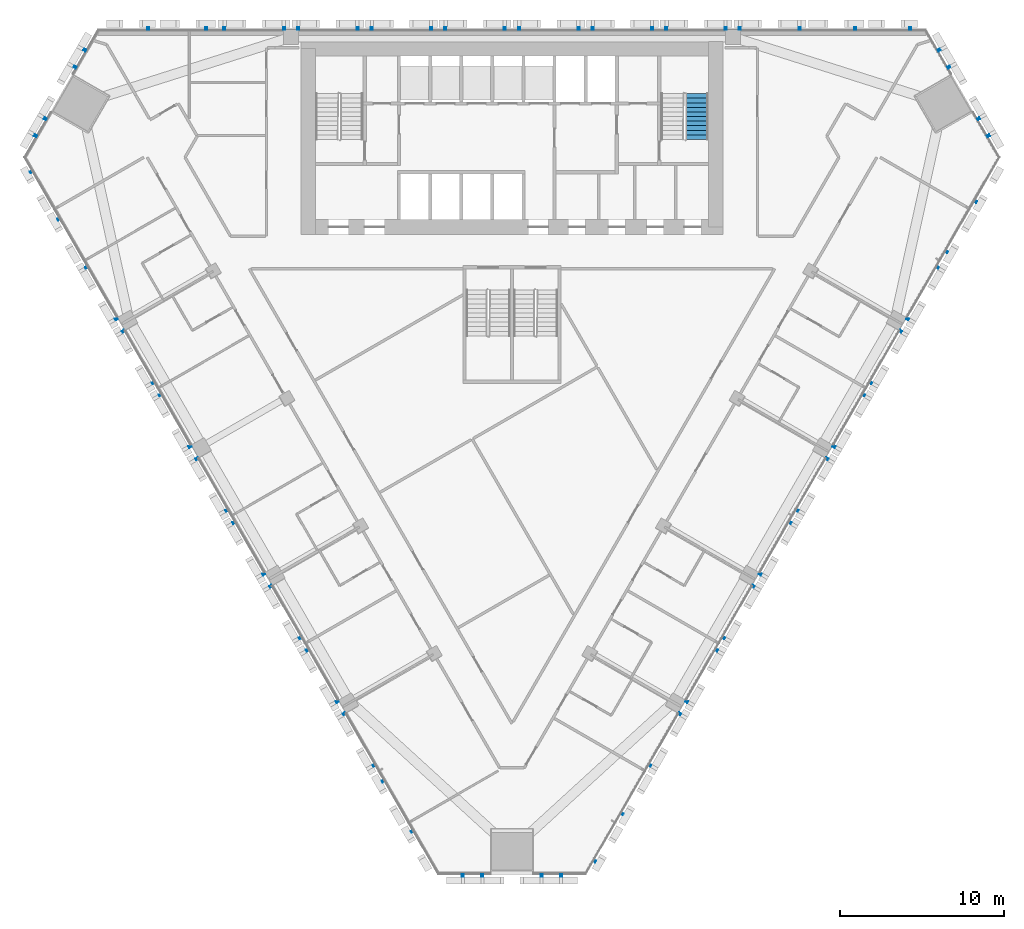
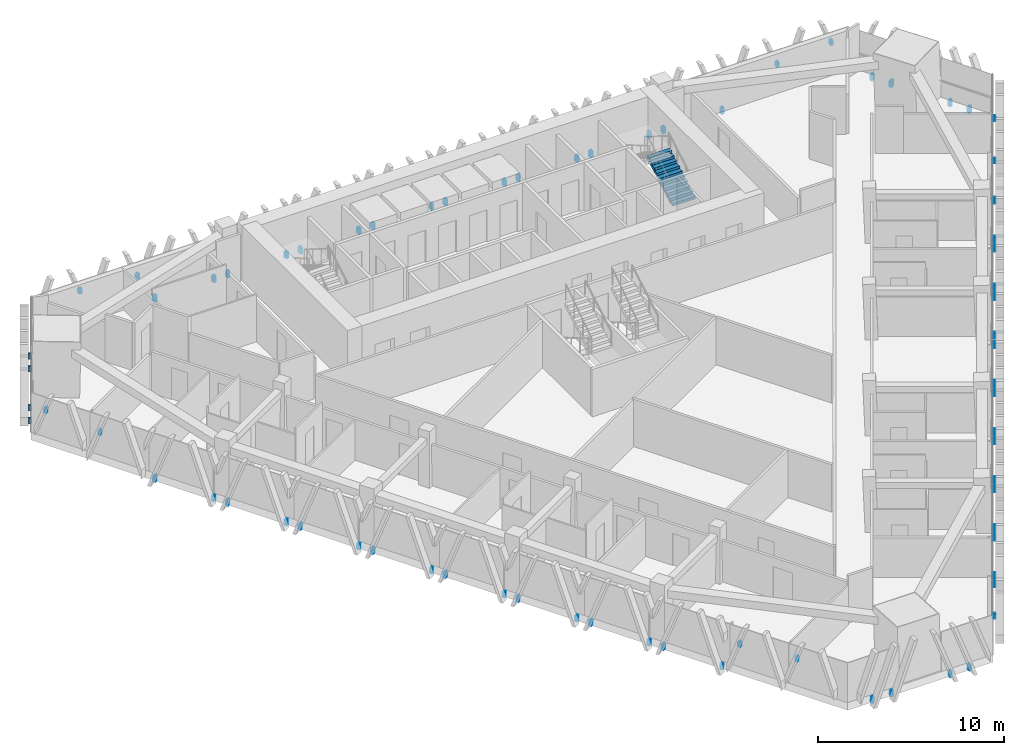
# One storey, part 13 of 16: 6 discrete accessories, 1 stair flight, 1 element without a shape of its own.
"""IFC4 building model written with IfcOpenShell, lengths in metres."""

from ifc_helpers import new_model, si_unit, direction, frame, origin, place, context, subcontext, project, spatial, polyline, outline, extrude, source, transform, mapped, material, type_object, element, aggregate, save


model = new_model("IFC4")

# Units and contexts
model_context = context("Model", 3, precision=1e-05, world=origin(), true_north=direction((0.0, 1.0)))
body_context = subcontext(model_context, "Body", "Model", "MODEL_VIEW")
ifc_project = project(units=[si_unit("LENGTHUNIT", "METRE"), si_unit("AREAUNIT", "SQUARE_METRE"), si_unit("VOLUMEUNIT", "CUBIC_METRE"), si_unit("PLANEANGLEUNIT", "RADIAN"), si_unit("MASSUNIT", "GRAM", prefix="KILO")], contexts=[model_context])

# Site, building, storey
site_placement = place(None, origin())
site = spatial("IfcSite", under=ifc_project, at=site_placement, CompositionType="ELEMENT")
building_placement = place(site_placement, origin())
building = spatial("IfcBuilding", under=site, at=building_placement, Name="Altiplano Prism Tower", CompositionType="ELEMENT")
storey_placement = place(building_placement, frame((0.0, 0.0, 73.800048828125)))
storey = spatial("IfcBuildingStorey", under=building, at=storey_placement, Name="L18", CompositionType="ELEMENT", Elevation=73.800048828125)

# Stair, stair flight
ifc_material_1 = material(Name="Concrete C40/50", Category="concrete")
stair_type = type_object("IfcStairType", Name="Exit stair 1400", PredefinedType="HALF_TURN_STAIR", material=ifc_material_1)
stair_placement = place(storey_placement, origin())
stair = element("IfcStair", 1, at=stair_placement, inside=storey, type_object=stair_type, Name="L18 Exit Stair 2", PredefinedType="HALF_TURN_STAIR")
stair_flight_type = type_object("IfcStairFlightType", Name="Stair flight concrete 150", PredefinedType="STRAIGHT", material=ifc_material_1)
stair_flight_placement = place(storey_placement, frame((96.300048828125, 98.300048828125, 0.0), z_axis=(0.0, 0.0, 1.0), x_axis=(0.0, 1.0, 0.0)))
stair_flight = element("IfcStairFlight", 2, at=stair_flight_placement, type_object=stair_flight_type, Name="ST2 flight 1", NumberOfRisers=11, NumberOfTreads=10, PredefinedType="STRAIGHT", RiserHeight=0.163636364, TreadLength=0.28, context=body_context, shape_type="SweptSolid", body=[
    extrude(outline(polyline([(0.0, 0.0), (0.0, 0.16357421875), (0.280029296875, 0.16357421875), (0.280029296875, 0.327392578125), (0.56005859375, 0.327392578125), (0.56005859375, 0.490966796875), (0.840087890625, 0.490966796875), (0.840087890625, 0.654541015625), (1.1201171875, 0.654541015625), (1.1201171875, 0.818115234375), (1.39990234375, 0.818115234375), (1.39990234375, 0.98193359375), (1.679931640625, 0.98193359375), (1.679931640625, 1.1455078125), (1.9599609375, 1.1455078125), (1.9599609375, 1.30908203125), (2.239990234375, 1.30908203125), (2.239990234375, 1.47265625), (2.52001953125, 1.47265625), (2.52001953125, 1.636474609375), (2.800048828125, 1.636474609375), (2.800048828125, 1.800048828125), (2.800048828125, 1.462646484375), (0.297119140625, 0.0), (0.0, 0.0)])), frame((0.0, 0.699951171875, 0.0), z_axis=(0.0, -1.0, 0.0), x_axis=(1.0, 0.0, 0.0)), (0.0, 0.0, 1.0), 1.39990234375),
])
aggregate(stair, [stair_flight])

# Discrete accessories
ifc_material_2 = material(Name="Stainless steel", Category="steel")
discrete_accessory_type = type_object("IfcDiscreteAccessoryType", Name="Stone fin fixing prongs", PredefinedType="USERDEFINED", material=ifc_material_2)
shared_shape_1 = source(origin(), body_context, "Body", "SweptSolid", [
    extrude(outline(polyline([(-1.11181640625, 2.20849609375), (-0.991943359375, 2.20849609375), (-0.991943359375, 2.508544921875), (-1.11181640625, 2.508544921875), (-1.11181640625, 2.20849609375)])), frame((0.0, 0.0, 0.0), z_axis=(0.0, -1.0, 0.0), x_axis=(1.0, 0.0, 0.0)), (0.0, 0.0, 1.0), 0.14990234375),
])
shared_shape_2 = source(origin(), body_context, "Body", "SweptSolid", [
    extrude(outline(polyline([(-1.21142578125, 1.934814453125), (-1.091552734375, 1.934814453125), (-1.091552734375, 2.234619140625), (-1.21142578125, 2.234619140625), (-1.21142578125, 1.934814453125)])), frame((0.0, 0.0, 0.0), z_axis=(0.0, -1.0, 0.0), x_axis=(1.0, 0.0, 0.0)), (0.0, 0.0, 1.0), 0.14990234375),
])
shared_shape_3 = source(origin(), body_context, "Body", "SweptSolid", [
    extrude(outline(polyline([(-1.87939453125, 0.06005859375), (-1.75927734375, 0.06005859375), (-1.75927734375, 0.43994140625), (-1.87939453125, 0.43994140625), (-1.87939453125, 0.06005859375)])), frame((0.0, 0.0, 0.0), z_axis=(0.0, -1.0, 0.0), x_axis=(1.0, 0.0, 0.0)), (0.0, 0.0, 1.0), 0.14990234375),
    extrude(outline(polyline([(1.75927734375, 0.06005859375), (1.87939453125, 0.06005859375), (1.87939453125, 0.43994140625), (1.75927734375, 0.43994140625), (1.75927734375, 0.06005859375)])), frame((0.0, 0.0, 0.0), z_axis=(0.0, -1.0, 0.0), x_axis=(1.0, 0.0, 0.0)), (0.0, 0.0, 1.0), 0.14990234375),
])
discrete_accessory_1_placement = place(storey_placement, origin())
element("IfcDiscreteAccessory", 3, at=discrete_accessory_1_placement, inside=storey, type_object=discrete_accessory_type, Name="Fin fixings L18 north face", ObjectType="BRACKET", PredefinedType="USERDEFINED", context=body_context, shape_type="MappedRepresentation", body=[
    mapped(shared_shape_1, transform((108.2705078125, 105.0, -0.5), x_axis=(-1.0, 0.0, 0.0), y_axis=(0.0, -1.0, 0.0), z_axis=(0.0, 0.0, 1.0))),
    mapped(shared_shape_2, transform((104.823486328125, 105.0, -0.5), x_axis=(-1.0, 0.0, 0.0), y_axis=(0.0, -1.0, 0.0), z_axis=(0.0, 0.0, 1.0))),
    mapped(shared_shape_3, transform((100.75, 105.0, -0.5), x_axis=(-1.0, 0.0, 0.0), y_axis=(0.0, -1.0, 0.0), z_axis=(0.0, 0.0, 1.0))),
    mapped(shared_shape_3, transform((96.25, 105.0, -0.5), x_axis=(-1.0, 0.0, 0.0), y_axis=(0.0, -1.0, 0.0), z_axis=(0.0, 0.0, 1.0))),
    mapped(shared_shape_3, transform((91.75, 105.0, -0.5), x_axis=(-1.0, 0.0, 0.0), y_axis=(0.0, -1.0, 0.0), z_axis=(0.0, 0.0, 1.0))),
    mapped(shared_shape_3, transform((87.25, 105.0, -0.5), x_axis=(-1.0, 0.0, 0.0), y_axis=(0.0, -1.0, 0.0), z_axis=(0.0, 0.0, 1.0))),
    mapped(shared_shape_3, transform((82.75, 105.0, -0.5), x_axis=(-1.0, 0.0, 0.0), y_axis=(0.0, -1.0, 0.0), z_axis=(0.0, 0.0, 1.0))),
    mapped(shared_shape_3, transform((78.25, 105.0, -0.5), x_axis=(-1.0, 0.0, 0.0), y_axis=(0.0, -1.0, 0.0), z_axis=(0.0, 0.0, 1.0))),
    mapped(shared_shape_3, transform((73.75, 105.0, -0.5), x_axis=(-1.0, 0.0, 0.0), y_axis=(0.0, -1.0, 0.0), z_axis=(0.0, 0.0, 1.0))),
    mapped(shared_shape_3, transform((69.25, 105.0, -0.5), x_axis=(-1.0, 0.0, 0.0), y_axis=(0.0, -1.0, 0.0), z_axis=(0.0, 0.0, 1.0))),
    mapped(shared_shape_2, transform((65.176513671875, 105.0, -0.5), x_axis=(-1.0, 0.0, 0.0), y_axis=(0.0, -1.0, 0.0), z_axis=(0.0, 0.0, 1.0))),
    mapped(shared_shape_1, transform((61.7294921875, 105.0, -0.5), x_axis=(-1.0, 0.0, 0.0), y_axis=(0.0, -1.0, 0.0), z_axis=(0.0, 0.0, 1.0))),
])
discrete_accessory_2_placement = place(storey_placement, origin())
element("IfcDiscreteAccessory", 4, at=discrete_accessory_2_placement, inside=storey, type_object=discrete_accessory_type, Name="Fin fixings L18 south-west face", ObjectType="BRACKET", PredefinedType="USERDEFINED", context=body_context, shape_type="MappedRepresentation", body=[
    mapped(shared_shape_1, transform((56.218017578125, 95.453857421875, -0.5), x_axis=(0.500000003023, -0.866025402039, 0.0), y_axis=(0.866025402039, 0.500000003023, 0.0), z_axis=(0.0, 0.0, 1.0))),
    mapped(shared_shape_2, transform((57.941650390625, 92.46875, -0.5), x_axis=(0.500000003023, -0.866025402039, 0.0), y_axis=(0.866025402039, 0.500000003023, 0.0), z_axis=(0.0, 0.0, 1.0))),
    mapped(shared_shape_3, transform((59.978271484375, 88.94091796875, -0.5), x_axis=(0.500000003023, -0.866025402039, 0.0), y_axis=(0.866025402039, 0.500000003023, 0.0), z_axis=(0.0, 0.0, 1.0))),
    mapped(shared_shape_3, transform((62.228271484375, 85.0439453125, -0.5), x_axis=(0.500000003023, -0.866025402039, 0.0), y_axis=(0.866025402039, 0.500000003023, 0.0), z_axis=(0.0, 0.0, 1.0))),
    mapped(shared_shape_3, transform((64.478271484375, 81.146728515625, -0.5), x_axis=(0.500000003023, -0.866025402039, 0.0), y_axis=(0.866025402039, 0.500000003023, 0.0), z_axis=(0.0, 0.0, 1.0))),
    mapped(shared_shape_3, transform((66.728271484375, 77.249755859375, -0.5), x_axis=(0.500000003023, -0.866025402039, 0.0), y_axis=(0.866025402039, 0.500000003023, 0.0), z_axis=(0.0, 0.0, 1.0))),
    mapped(shared_shape_3, transform((68.978271484375, 73.3525390625, -0.5), x_axis=(0.500000003023, -0.866025402039, 0.0), y_axis=(0.866025402039, 0.500000003023, 0.0), z_axis=(0.0, 0.0, 1.0))),
    mapped(shared_shape_3, transform((71.228271484375, 69.455322265625, -0.5), x_axis=(0.500000003023, -0.866025402039, 0.0), y_axis=(0.866025402039, 0.500000003023, 0.0), z_axis=(0.0, 0.0, 1.0))),
    mapped(shared_shape_3, transform((73.478271484375, 65.558349609375, -0.5), x_axis=(0.500000003023, -0.866025402039, 0.0), y_axis=(0.866025402039, 0.500000003023, 0.0), z_axis=(0.0, 0.0, 1.0))),
    mapped(shared_shape_3, transform((75.728271484375, 61.6611328125, -0.5), x_axis=(0.500000003023, -0.866025402039, 0.0), y_axis=(0.866025402039, 0.500000003023, 0.0), z_axis=(0.0, 0.0, 1.0))),
    mapped(shared_shape_2, transform((77.76513671875, 58.133544921875, -0.5), x_axis=(0.500000003023, -0.866025402039, 0.0), y_axis=(0.866025402039, 0.500000003023, 0.0), z_axis=(0.0, 0.0, 1.0))),
    mapped(shared_shape_1, transform((79.488525390625, 55.148193359375, -0.5), x_axis=(0.500000003023, -0.866025402039, 0.0), y_axis=(0.866025402039, 0.500000003023, 0.0), z_axis=(0.0, 0.0, 1.0))),
])
discrete_accessory_3_placement = place(storey_placement, origin())
element("IfcDiscreteAccessory", 5, at=discrete_accessory_3_placement, inside=storey, type_object=discrete_accessory_type, Name="Fin fixings L18 south-east face", ObjectType="BRACKET", PredefinedType="USERDEFINED", context=body_context, shape_type="MappedRepresentation", body=[
    mapped(shared_shape_1, transform((90.511474609375, 55.148193359375, -0.5), x_axis=(0.500000003023, 0.866025402039, 0.0), y_axis=(-0.866025402039, 0.500000003023, 0.0), z_axis=(0.0, 0.0, 1.0))),
    mapped(shared_shape_2, transform((92.23486328125, 58.133544921875, -0.5), x_axis=(0.500000003023, 0.866025402039, 0.0), y_axis=(-0.866025402039, 0.500000003023, 0.0), z_axis=(0.0, 0.0, 1.0))),
    mapped(shared_shape_3, transform((94.271728515625, 61.6611328125, -0.5), x_axis=(0.500000003023, 0.866025402039, 0.0), y_axis=(-0.866025402039, 0.500000003023, 0.0), z_axis=(0.0, 0.0, 1.0))),
    mapped(shared_shape_3, transform((96.521728515625, 65.558349609375, -0.5), x_axis=(0.500000003023, 0.866025402039, 0.0), y_axis=(-0.866025402039, 0.500000003023, 0.0), z_axis=(0.0, 0.0, 1.0))),
    mapped(shared_shape_3, transform((98.771728515625, 69.455322265625, -0.5), x_axis=(0.500000003023, 0.866025402039, 0.0), y_axis=(-0.866025402039, 0.500000003023, 0.0), z_axis=(0.0, 0.0, 1.0))),
    mapped(shared_shape_3, transform((101.021728515625, 73.3525390625, -0.5), x_axis=(0.500000003023, 0.866025402039, 0.0), y_axis=(-0.866025402039, 0.500000003023, 0.0), z_axis=(0.0, 0.0, 1.0))),
    mapped(shared_shape_3, transform((103.271728515625, 77.249755859375, -0.5), x_axis=(0.500000003023, 0.866025402039, 0.0), y_axis=(-0.866025402039, 0.500000003023, 0.0), z_axis=(0.0, 0.0, 1.0))),
    mapped(shared_shape_3, transform((105.521728515625, 81.146728515625, -0.5), x_axis=(0.500000003023, 0.866025402039, 0.0), y_axis=(-0.866025402039, 0.500000003023, 0.0), z_axis=(0.0, 0.0, 1.0))),
    mapped(shared_shape_3, transform((107.771728515625, 85.0439453125, -0.5), x_axis=(0.500000003023, 0.866025402039, 0.0), y_axis=(-0.866025402039, 0.500000003023, 0.0), z_axis=(0.0, 0.0, 1.0))),
    mapped(shared_shape_3, transform((110.021728515625, 88.94091796875, -0.5), x_axis=(0.500000003023, 0.866025402039, 0.0), y_axis=(-0.866025402039, 0.500000003023, 0.0), z_axis=(0.0, 0.0, 1.0))),
    mapped(shared_shape_2, transform((112.058349609375, 92.46875, -0.5), x_axis=(0.500000003023, 0.866025402039, 0.0), y_axis=(-0.866025402039, 0.500000003023, 0.0), z_axis=(0.0, 0.0, 1.0))),
    mapped(shared_shape_1, transform((113.781982421875, 95.453857421875, -0.5), x_axis=(0.500000003023, 0.866025402039, 0.0), y_axis=(-0.866025402039, 0.500000003023, 0.0), z_axis=(0.0, 0.0, 1.0))),
])
shared_shape_4 = source(origin(), body_context, "Body", "SweptSolid", [
    extrude(outline(polyline([(-3.079345703125, 0.06005859375), (-2.959228515625, 0.06005859375), (-2.959228515625, 0.43994140625), (-3.079345703125, 0.43994140625), (-3.079345703125, 0.06005859375)])), frame((0.0, 0.0, 0.0), z_axis=(0.0, -1.0, 0.0), x_axis=(1.0, 0.0, 0.0)), (0.0, 0.0, 1.0), 0.14990234375),
    extrude(outline(polyline([(-1.87939453125, 0.06005859375), (-1.75927734375, 0.06005859375), (-1.75927734375, 0.43994140625), (-1.87939453125, 0.43994140625), (-1.87939453125, 0.06005859375)])), frame((0.0, 0.0, 0.0), z_axis=(0.0, -1.0, 0.0), x_axis=(1.0, 0.0, 0.0)), (0.0, 0.0, 1.0), 0.14990234375),
    extrude(outline(polyline([(1.75927734375, 0.06005859375), (1.87939453125, 0.06005859375), (1.87939453125, 0.43994140625), (1.75927734375, 0.43994140625), (1.75927734375, 0.06005859375)])), frame((0.0, 0.0, 0.0), z_axis=(0.0, -1.0, 0.0), x_axis=(1.0, 0.0, 0.0)), (0.0, 0.0, 1.0), 0.14990234375),
    extrude(outline(polyline([(2.959228515625, 0.06005859375), (3.079345703125, 0.06005859375), (3.079345703125, 0.43994140625), (2.959228515625, 0.43994140625), (2.959228515625, 0.06005859375)])), frame((0.0, 0.0, 0.0), z_axis=(0.0, -1.0, 0.0), x_axis=(1.0, 0.0, 0.0)), (0.0, 0.0, 1.0), 0.14990234375),
])
discrete_accessory_4_placement = place(storey_placement, origin())
element("IfcDiscreteAccessory", 6, at=discrete_accessory_4_placement, inside=storey, type_object=discrete_accessory_type, Name="Fin fixings L18 north-west chamfer", ObjectType="BRACKET", PredefinedType="USERDEFINED", context=body_context, shape_type="MappedRepresentation", body=[
    mapped(shared_shape_4, transform((57.456298828125, 101.103271484375, -0.5), x_axis=(-0.500000016987, -0.866025393977, 0.0), y_axis=(0.866025393977, -0.500000016987, 0.0), z_axis=(0.0, 0.0, 1.0))),
])
discrete_accessory_5_placement = place(storey_placement, origin())
element("IfcDiscreteAccessory", 7, at=discrete_accessory_5_placement, inside=storey, type_object=discrete_accessory_type, Name="Fin fixings L18 south chamfer", ObjectType="BRACKET", PredefinedType="USERDEFINED", context=body_context, shape_type="MappedRepresentation", body=[
    mapped(shared_shape_4, transform((85.0, 53.39599609375, -0.5), x_axis=(1.0, 0.0, 0.0), y_axis=(0.0, 1.0, 0.0), z_axis=(0.0, 0.0, 1.0))),
])
discrete_accessory_6_placement = place(storey_placement, origin())
element("IfcDiscreteAccessory", 8, at=discrete_accessory_6_placement, inside=storey, type_object=discrete_accessory_type, Name="Fin fixings L18 north-east chamfer", ObjectType="BRACKET", PredefinedType="USERDEFINED", context=body_context, shape_type="MappedRepresentation", body=[
    mapped(shared_shape_4, transform((112.543701171875, 101.103271484375, -0.5), x_axis=(-0.500000016987, 0.866025393977, 0.0), y_axis=(-0.866025393977, -0.500000016987, 0.0), z_axis=(0.0, 0.0, 1.0))),
])

save(model, "model.ifc")
